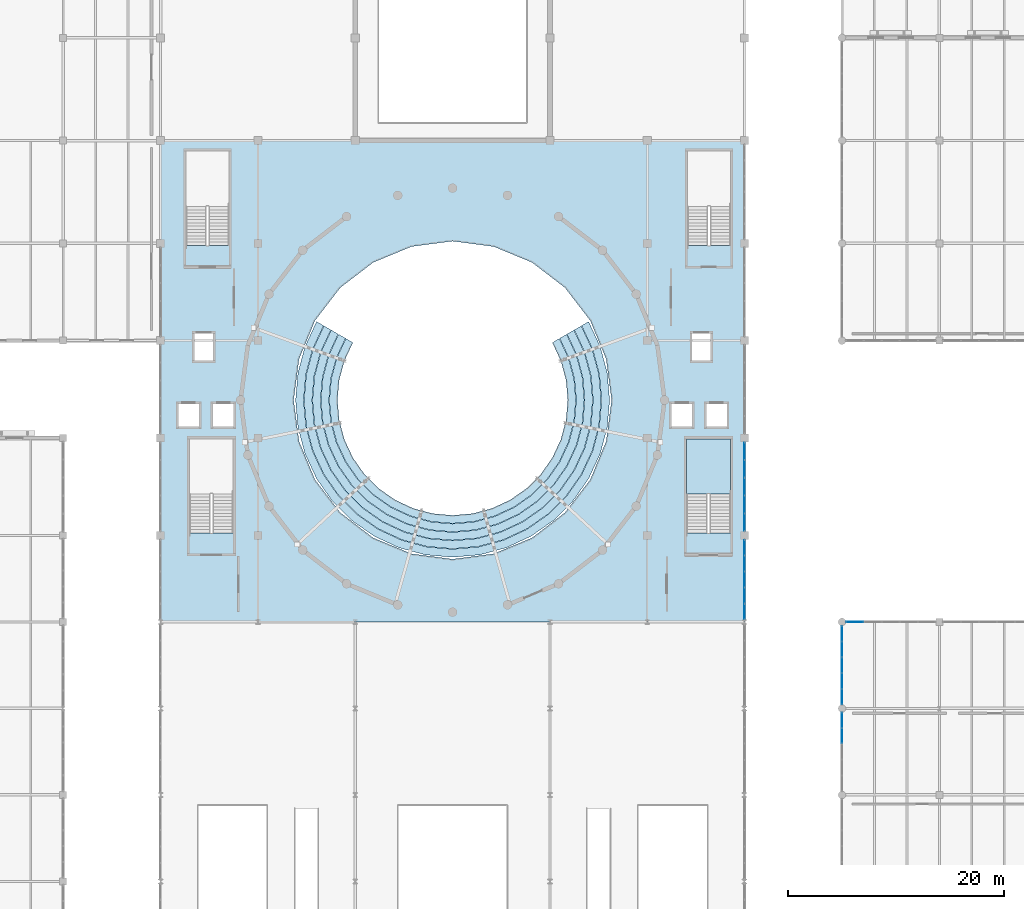
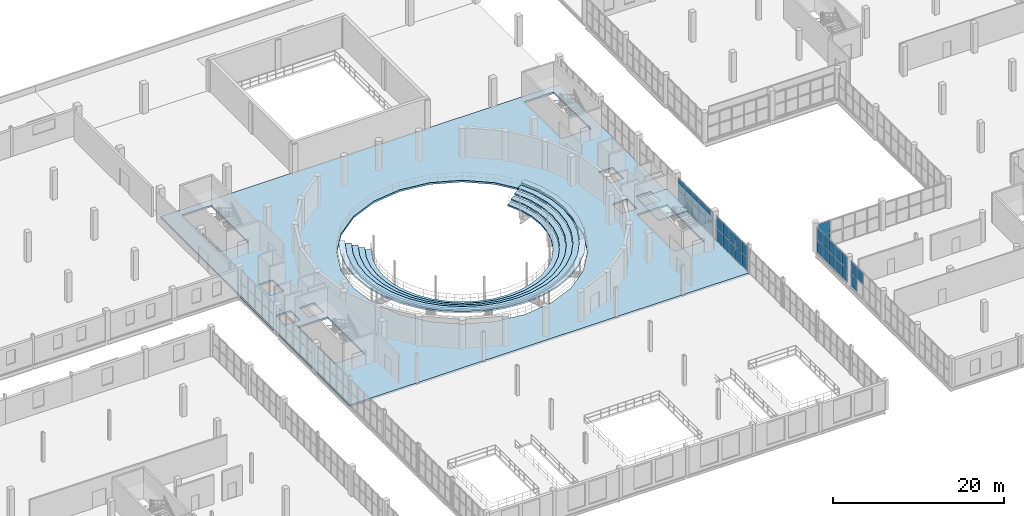
# One storey, part 53 of 85: 35 plates, 7 slabs, 6 elements without a shape of their own.
"""IFC4 building model written with IfcOpenShell, lengths in metres."""

from ifc_helpers import new_model, si_unit, direction, frame, origin, origin_2d, place, context, subcontext, project, spatial, polyline, rectangle, outline, extrude, material, layer, layer_set, type_object, element, aggregate, save


model = new_model("IFC4")

# Units and contexts
model_context = context("Model", 3, precision=1e-05, world=origin(), true_north=direction((0.0, 1.0)))
body_context = subcontext(model_context, "Body", "Model", "MODEL_VIEW")
ifc_project = project(units=[si_unit("LENGTHUNIT", "METRE"), si_unit("AREAUNIT", "SQUARE_METRE"), si_unit("VOLUMEUNIT", "CUBIC_METRE"), si_unit("PLANEANGLEUNIT", "RADIAN"), si_unit("MASSUNIT", "GRAM", prefix="KILO")], contexts=[model_context])

# Site, building, storey
site_placement = place(None, origin())
site = spatial("IfcSite", under=ifc_project, at=site_placement, CompositionType="ELEMENT")
building_placement = place(site_placement, origin())
building = spatial("IfcBuilding", under=site, at=building_placement, Name="Marnock Terrace Opera House", CompositionType="ELEMENT")
storey_placement = place(building_placement, frame((0.0, 0.0, 10.199951171875)))
storey = spatial("IfcBuildingStorey", under=building, at=storey_placement, Name="L02", CompositionType="ELEMENT", Elevation=10.199951171875)

# Curtain wall, plates
ifc_material_1 = material(Name="Anodised architectural bronze aluminium framing", Category="aluminium")
ifc_layer_1 = layer(ifc_material_1, 0.159912109375)
ifc_layer_set_1 = layer_set([ifc_layer_1], Name="Anodised architectural bronze aluminium framing")
curtain_wall_type_1 = type_object("IfcCurtainWallType", Name="CW-FOYER-80x42", PredefinedType="NOTDEFINED", material=ifc_layer_set_1)
curtain_wall_1_placement = place(storey_placement, origin())
curtain_wall_1 = element("IfcCurtainWall", 1, at=curtain_wall_1_placement, inside=storey, type_object=curtain_wall_type_1, Name="L02 glazed Beaux-Arts colonnade curtain wall CW-V1E-L02-05", PredefinedType="NOTDEFINED")
ifc_material_2 = material(Name="Double-glazed acoustic low-E laminated glass", Category="glass")
ifc_layer_2 = layer(ifc_material_2, 0.028076171875)
ifc_layer_set_2 = layer_set([ifc_layer_2], Name="Double-glazed acoustic low-E laminated glass")
plate_type = type_object("IfcPlateType", Name="CWP-GLZ-28", PredefinedType="CURTAIN_PANEL", material=ifc_layer_set_2)
plate_1_placement = place(storey_placement, frame((109.0, 40.954345703125, 0.06005859375), z_axis=(0.0, 0.0, 1.0), x_axis=(0.0, 1.0, 0.0)))
plate_1 = element("IfcPlate", 2, at=plate_1_placement, type_object=plate_type, Name="CW-62 panel 1.1", PredefinedType="CURTAIN_PANEL", context=body_context, shape_type="SweptSolid", body=[
    extrude(rectangle(XDim=1.396484375, YDim=0.028076171875, at=origin_2d()), origin(), (0.0, 0.0, 1.0), 1.7861328125),
])
plate_2_placement = place(storey_placement, frame((109.0, 40.954345703125, 1.90625), z_axis=(0.0, 0.0, 1.0), x_axis=(0.0, 1.0, 0.0)))
plate_2 = element("IfcPlate", 3, at=plate_2_placement, type_object=plate_type, Name="CW-62 panel 1.2", PredefinedType="CURTAIN_PANEL", context=body_context, shape_type="SweptSolid", body=[
    extrude(rectangle(XDim=1.396484375, YDim=0.028076171875, at=origin_2d()), origin(), (0.0, 0.0, 1.0), 1.641845703125),
])
plate_3_placement = place(storey_placement, frame((109.0, 42.42578125, 0.06005859375), z_axis=(0.0, 0.0, 1.0), x_axis=(0.0, 1.0, 0.0)))
plate_3 = element("IfcPlate", 4, at=plate_3_placement, type_object=plate_type, Name="CW-62 panel 2.1", PredefinedType="CURTAIN_PANEL", context=body_context, shape_type="SweptSolid", body=[
    extrude(rectangle(XDim=1.426513671875, YDim=0.028076171875, at=origin_2d()), origin(), (0.0, 0.0, 1.0), 1.7861328125),
])
plate_4_placement = place(storey_placement, frame((109.0, 42.42578125, 1.90625), z_axis=(0.0, 0.0, 1.0), x_axis=(0.0, 1.0, 0.0)))
plate_4 = element("IfcPlate", 5, at=plate_4_placement, type_object=plate_type, Name="CW-62 panel 2.2", PredefinedType="CURTAIN_PANEL", context=body_context, shape_type="SweptSolid", body=[
    extrude(rectangle(XDim=1.426513671875, YDim=0.028076171875, at=origin_2d()), origin(), (0.0, 0.0, 1.0), 1.641845703125),
])
plate_5_placement = place(storey_placement, frame((109.0, 43.91259765625, 0.06005859375), z_axis=(0.0, 0.0, 1.0), x_axis=(0.0, 1.0, 0.0)))
plate_5 = element("IfcPlate", 6, at=plate_5_placement, type_object=plate_type, Name="CW-62 panel 3.1", PredefinedType="CURTAIN_PANEL", context=body_context, shape_type="SweptSolid", body=[
    extrude(rectangle(XDim=1.426513671875, YDim=0.028076171875, at=origin_2d()), origin(), (0.0, 0.0, 1.0), 1.7861328125),
])
plate_6_placement = place(storey_placement, frame((109.0, 43.91259765625, 1.90625), z_axis=(0.0, 0.0, 1.0), x_axis=(0.0, 1.0, 0.0)))
plate_6 = element("IfcPlate", 7, at=plate_6_placement, type_object=plate_type, Name="CW-62 panel 3.2", PredefinedType="CURTAIN_PANEL", context=body_context, shape_type="SweptSolid", body=[
    extrude(rectangle(XDim=1.426513671875, YDim=0.028076171875, at=origin_2d()), origin(), (0.0, 0.0, 1.0), 1.641845703125),
])
plate_7_placement = place(storey_placement, frame((109.0, 45.399169921875, 0.06005859375), z_axis=(0.0, 0.0, 1.0), x_axis=(0.0, 1.0, 0.0)))
plate_7 = element("IfcPlate", 8, at=plate_7_placement, type_object=plate_type, Name="CW-62 panel 4.1", PredefinedType="CURTAIN_PANEL", context=body_context, shape_type="SweptSolid", body=[
    extrude(rectangle(XDim=1.426513671875, YDim=0.028076171875, at=origin_2d()), origin(), (0.0, 0.0, 1.0), 1.7861328125),
])
plate_8_placement = place(storey_placement, frame((109.0, 45.399169921875, 1.90625), z_axis=(0.0, 0.0, 1.0), x_axis=(0.0, 1.0, 0.0)))
plate_8 = element("IfcPlate", 9, at=plate_8_placement, type_object=plate_type, Name="CW-62 panel 4.2", PredefinedType="CURTAIN_PANEL", context=body_context, shape_type="SweptSolid", body=[
    extrude(rectangle(XDim=1.426513671875, YDim=0.028076171875, at=origin_2d()), origin(), (0.0, 0.0, 1.0), 1.641845703125),
])
plate_9_placement = place(storey_placement, frame((109.0, 46.87060546875, 0.06005859375), z_axis=(0.0, 0.0, 1.0), x_axis=(0.0, 1.0, 0.0)))
plate_9 = element("IfcPlate", 10, at=plate_9_placement, type_object=plate_type, Name="CW-62 panel 5.1", PredefinedType="CURTAIN_PANEL", context=body_context, shape_type="SweptSolid", body=[
    extrude(rectangle(XDim=1.396484375, YDim=0.028076171875, at=origin_2d()), origin(), (0.0, 0.0, 1.0), 1.7861328125),
])
plate_10_placement = place(storey_placement, frame((109.0, 46.87060546875, 1.90625), z_axis=(0.0, 0.0, 1.0), x_axis=(0.0, 1.0, 0.0)))
plate_10 = element("IfcPlate", 11, at=plate_10_placement, type_object=plate_type, Name="CW-62 panel 5.2", PredefinedType="CURTAIN_PANEL", context=body_context, shape_type="SweptSolid", body=[
    extrude(rectangle(XDim=1.396484375, YDim=0.028076171875, at=origin_2d()), origin(), (0.0, 0.0, 1.0), 1.641845703125),
])
aggregate(curtain_wall_1, [plate_1, plate_2, plate_3, plate_4, plate_5, plate_6, plate_7, plate_8, plate_9, plate_10])

ifc_layer_3 = layer(ifc_material_1, 0.159912109375)
ifc_layer_set_3 = layer_set([ifc_layer_3], Name="Anodised architectural bronze aluminium framing")
curtain_wall_type_2 = type_object("IfcCurtainWallType", Name="CW-FOYER-90x42", PredefinedType="NOTDEFINED", material=ifc_layer_set_3)
curtain_wall_2_placement = place(storey_placement, origin())
curtain_wall_2 = element("IfcCurtainWall", 12, at=curtain_wall_2_placement, inside=storey, type_object=curtain_wall_type_2, Name="L02 glazed Beaux-Arts colonnade curtain wall CW-V1E-L02-06", PredefinedType="NOTDEFINED")
plate_11_placement = place(storey_placement, frame((109.0, 49.2119140625, 0.06005859375), z_axis=(0.0, 0.0, 1.0), x_axis=(0.0, 1.0, 0.0)))
plate_11 = element("IfcPlate", 13, at=plate_11_placement, type_object=plate_type, Name="CW-68 panel 1.1", PredefinedType="CURTAIN_PANEL", context=body_context, shape_type="SweptSolid", body=[
    extrude(rectangle(XDim=1.5615234375, YDim=0.028076171875, at=origin_2d()), origin(), (0.0, 0.0, 1.0), 1.7861328125),
])
plate_12_placement = place(storey_placement, frame((109.0, 49.2119140625, 1.90625), z_axis=(0.0, 0.0, 1.0), x_axis=(0.0, 1.0, 0.0)))
plate_12 = element("IfcPlate", 14, at=plate_12_placement, type_object=plate_type, Name="CW-68 panel 1.2", PredefinedType="CURTAIN_PANEL", context=body_context, shape_type="SweptSolid", body=[
    extrude(rectangle(XDim=1.5615234375, YDim=0.028076171875, at=origin_2d()), origin(), (0.0, 0.0, 1.0), 1.641845703125),
])
plate_13_placement = place(storey_placement, frame((109.0, 50.848388671875, 0.06005859375), z_axis=(0.0, 0.0, 1.0), x_axis=(0.0, 1.0, 0.0)))
plate_13 = element("IfcPlate", 15, at=plate_13_placement, type_object=plate_type, Name="CW-68 panel 2.1", PredefinedType="CURTAIN_PANEL", context=body_context, shape_type="SweptSolid", body=[
    extrude(rectangle(XDim=1.591552734375, YDim=0.028076171875, at=origin_2d()), origin(), (0.0, 0.0, 1.0), 1.7861328125),
])
plate_14_placement = place(storey_placement, frame((109.0, 50.848388671875, 1.90625), z_axis=(0.0, 0.0, 1.0), x_axis=(0.0, 1.0, 0.0)))
plate_14 = element("IfcPlate", 16, at=plate_14_placement, type_object=plate_type, Name="CW-68 panel 2.2", PredefinedType="CURTAIN_PANEL", context=body_context, shape_type="SweptSolid", body=[
    extrude(rectangle(XDim=1.591552734375, YDim=0.028076171875, at=origin_2d()), origin(), (0.0, 0.0, 1.0), 1.641845703125),
])
plate_15_placement = place(storey_placement, frame((109.0, 52.5, 0.06005859375), z_axis=(0.0, 0.0, 1.0), x_axis=(0.0, 1.0, 0.0)))
plate_15 = element("IfcPlate", 17, at=plate_15_placement, type_object=plate_type, Name="CW-68 panel 3.1", PredefinedType="CURTAIN_PANEL", context=body_context, shape_type="SweptSolid", body=[
    extrude(rectangle(XDim=1.591552734375, YDim=0.028076171875, at=origin_2d()), origin(), (0.0, 0.0, 1.0), 1.7861328125),
])
plate_16_placement = place(storey_placement, frame((109.0, 52.5, 1.90625), z_axis=(0.0, 0.0, 1.0), x_axis=(0.0, 1.0, 0.0)))
plate_16 = element("IfcPlate", 18, at=plate_16_placement, type_object=plate_type, Name="CW-68 panel 3.2", PredefinedType="CURTAIN_PANEL", context=body_context, shape_type="SweptSolid", body=[
    extrude(rectangle(XDim=1.591552734375, YDim=0.028076171875, at=origin_2d()), origin(), (0.0, 0.0, 1.0), 1.641845703125),
])
plate_17_placement = place(storey_placement, frame((109.0, 54.151611328125, 0.06005859375), z_axis=(0.0, 0.0, 1.0), x_axis=(0.0, 1.0, 0.0)))
plate_17 = element("IfcPlate", 19, at=plate_17_placement, type_object=plate_type, Name="CW-68 panel 4.1", PredefinedType="CURTAIN_PANEL", context=body_context, shape_type="SweptSolid", body=[
    extrude(rectangle(XDim=1.591552734375, YDim=0.028076171875, at=origin_2d()), origin(), (0.0, 0.0, 1.0), 1.7861328125),
])
plate_18_placement = place(storey_placement, frame((109.0, 54.151611328125, 1.90625), z_axis=(0.0, 0.0, 1.0), x_axis=(0.0, 1.0, 0.0)))
plate_18 = element("IfcPlate", 20, at=plate_18_placement, type_object=plate_type, Name="CW-68 panel 4.2", PredefinedType="CURTAIN_PANEL", context=body_context, shape_type="SweptSolid", body=[
    extrude(rectangle(XDim=1.591552734375, YDim=0.028076171875, at=origin_2d()), origin(), (0.0, 0.0, 1.0), 1.641845703125),
])
plate_19_placement = place(storey_placement, frame((109.0, 55.7880859375, 0.06005859375), z_axis=(0.0, 0.0, 1.0), x_axis=(0.0, 1.0, 0.0)))
plate_19 = element("IfcPlate", 21, at=plate_19_placement, type_object=plate_type, Name="CW-68 panel 5.1", PredefinedType="CURTAIN_PANEL", context=body_context, shape_type="SweptSolid", body=[
    extrude(rectangle(XDim=1.5615234375, YDim=0.028076171875, at=origin_2d()), origin(), (0.0, 0.0, 1.0), 1.7861328125),
])
plate_20_placement = place(storey_placement, frame((109.0, 55.7880859375, 1.90625), z_axis=(0.0, 0.0, 1.0), x_axis=(0.0, 1.0, 0.0)))
plate_20 = element("IfcPlate", 22, at=plate_20_placement, type_object=plate_type, Name="CW-68 panel 5.2", PredefinedType="CURTAIN_PANEL", context=body_context, shape_type="SweptSolid", body=[
    extrude(rectangle(XDim=1.5615234375, YDim=0.028076171875, at=origin_2d()), origin(), (0.0, 0.0, 1.0), 1.641845703125),
])
aggregate(curtain_wall_2, [plate_11, plate_12, plate_13, plate_14, plate_15, plate_16, plate_17, plate_18, plate_19, plate_20])

ifc_layer_4 = layer(ifc_material_1, 0.159912109375)
ifc_layer_set_4 = layer_set([ifc_layer_4], Name="Anodised architectural bronze aluminium framing")
curtain_wall_type_3 = type_object("IfcCurtainWallType", Name="CW-LOGGIA-86x42", PredefinedType="NOTDEFINED", material=ifc_layer_set_4)
curtain_wall_3_placement = place(storey_placement, origin())
curtain_wall_3 = element("IfcCurtainWall", 23, at=curtain_wall_3_placement, inside=storey, type_object=curtain_wall_type_3, Name="L02 glazed Beaux-Arts colonnade curtain wall CW-V5-L02-W3", PredefinedType="NOTDEFINED")
plate_21_placement = place(storey_placement, frame((118.0, 29.461669921875, 1.94482421875), z_axis=(0.0, 0.0, 1.0), x_axis=(0.0, 1.0, 0.0)))
plate_21 = element("IfcPlate", 24, at=plate_21_placement, type_object=plate_type, Name="CW-66 panel 4.2", PredefinedType="CURTAIN_PANEL", context=body_context, shape_type="SweptSolid", body=[
    extrude(rectangle(XDim=1.401611328125, YDim=0.028076171875, at=origin_2d()), origin(), (0.0, 0.0, 1.0), 1.677490234375),
])
plate_22_placement = place(storey_placement, frame((118.0, 30.908203125, 0.06005859375), z_axis=(0.0, 0.0, 1.0), x_axis=(0.0, 1.0, 0.0)))
plate_22 = element("IfcPlate", 25, at=plate_22_placement, type_object=plate_type, Name="CW-66 panel 5.1", PredefinedType="CURTAIN_PANEL", context=body_context, shape_type="SweptSolid", body=[
    extrude(rectangle(XDim=1.37158203125, YDim=0.028076171875, at=origin_2d()), origin(), (0.0, 0.0, 1.0), 1.82470703125),
])
plate_23_placement = place(storey_placement, frame((118.0, 30.908203125, 1.94482421875), z_axis=(0.0, 0.0, 1.0), x_axis=(0.0, 1.0, 0.0)))
plate_23 = element("IfcPlate", 26, at=plate_23_placement, type_object=plate_type, Name="CW-66 panel 5.2", PredefinedType="CURTAIN_PANEL", context=body_context, shape_type="SweptSolid", body=[
    extrude(rectangle(XDim=1.37158203125, YDim=0.028076171875, at=origin_2d()), origin(), (0.0, 0.0, 1.0), 1.677490234375),
])
aggregate(curtain_wall_3, [plate_21, plate_22, plate_23])

curtain_wall_4_placement = place(storey_placement, origin())
curtain_wall_4 = element("IfcCurtainWall", 27, at=curtain_wall_4_placement, inside=storey, type_object=curtain_wall_type_3, Name="L02 glazed Beaux-Arts colonnade curtain wall CW-V5-L02-W4", PredefinedType="NOTDEFINED")
plate_24_placement = place(storey_placement, frame((118.0, 33.091796875, 0.06005859375), z_axis=(0.0, 0.0, 1.0), x_axis=(0.0, 1.0, 0.0)))
plate_24 = element("IfcPlate", 28, at=plate_24_placement, type_object=plate_type, Name="CW-66 panel 1.1", PredefinedType="CURTAIN_PANEL", context=body_context, shape_type="SweptSolid", body=[
    extrude(rectangle(XDim=1.37158203125, YDim=0.028076171875, at=origin_2d()), origin(), (0.0, 0.0, 1.0), 1.82470703125),
])
plate_25_placement = place(storey_placement, frame((118.0, 33.091796875, 1.94482421875), z_axis=(0.0, 0.0, 1.0), x_axis=(0.0, 1.0, 0.0)))
plate_25 = element("IfcPlate", 29, at=plate_25_placement, type_object=plate_type, Name="CW-66 panel 1.2", PredefinedType="CURTAIN_PANEL", context=body_context, shape_type="SweptSolid", body=[
    extrude(rectangle(XDim=1.37158203125, YDim=0.028076171875, at=origin_2d()), origin(), (0.0, 0.0, 1.0), 1.677490234375),
])
plate_26_placement = place(storey_placement, frame((118.0, 34.538330078125, 0.06005859375), z_axis=(0.0, 0.0, 1.0), x_axis=(0.0, 1.0, 0.0)))
plate_26 = element("IfcPlate", 30, at=plate_26_placement, type_object=plate_type, Name="CW-66 panel 2.1", PredefinedType="CURTAIN_PANEL", context=body_context, shape_type="SweptSolid", body=[
    extrude(rectangle(XDim=1.401611328125, YDim=0.028076171875, at=origin_2d()), origin(), (0.0, 0.0, 1.0), 1.82470703125),
])
plate_27_placement = place(storey_placement, frame((118.0, 34.538330078125, 1.94482421875), z_axis=(0.0, 0.0, 1.0), x_axis=(0.0, 1.0, 0.0)))
plate_27 = element("IfcPlate", 31, at=plate_27_placement, type_object=plate_type, Name="CW-66 panel 2.2", PredefinedType="CURTAIN_PANEL", context=body_context, shape_type="SweptSolid", body=[
    extrude(rectangle(XDim=1.401611328125, YDim=0.028076171875, at=origin_2d()), origin(), (0.0, 0.0, 1.0), 1.677490234375),
])
plate_28_placement = place(storey_placement, frame((118.0, 36.0, 0.06005859375), z_axis=(0.0, 0.0, 1.0), x_axis=(0.0, 1.0, 0.0)))
plate_28 = element("IfcPlate", 32, at=plate_28_placement, type_object=plate_type, Name="CW-66 panel 3.1", PredefinedType="CURTAIN_PANEL", context=body_context, shape_type="SweptSolid", body=[
    extrude(rectangle(XDim=1.401611328125, YDim=0.028076171875, at=origin_2d()), origin(), (0.0, 0.0, 1.0), 1.82470703125),
])
plate_29_placement = place(storey_placement, frame((118.0, 36.0, 1.94482421875), z_axis=(0.0, 0.0, 1.0), x_axis=(0.0, 1.0, 0.0)))
plate_29 = element("IfcPlate", 33, at=plate_29_placement, type_object=plate_type, Name="CW-66 panel 3.2", PredefinedType="CURTAIN_PANEL", context=body_context, shape_type="SweptSolid", body=[
    extrude(rectangle(XDim=1.401611328125, YDim=0.028076171875, at=origin_2d()), origin(), (0.0, 0.0, 1.0), 1.677490234375),
])
plate_30_placement = place(storey_placement, frame((118.0, 37.461669921875, 0.06005859375), z_axis=(0.0, 0.0, 1.0), x_axis=(0.0, 1.0, 0.0)))
plate_30 = element("IfcPlate", 34, at=plate_30_placement, type_object=plate_type, Name="CW-66 panel 4.1", PredefinedType="CURTAIN_PANEL", context=body_context, shape_type="SweptSolid", body=[
    extrude(rectangle(XDim=1.401611328125, YDim=0.028076171875, at=origin_2d()), origin(), (0.0, 0.0, 1.0), 1.82470703125),
])
plate_31_placement = place(storey_placement, frame((118.0, 37.461669921875, 1.94482421875), z_axis=(0.0, 0.0, 1.0), x_axis=(0.0, 1.0, 0.0)))
plate_31 = element("IfcPlate", 35, at=plate_31_placement, type_object=plate_type, Name="CW-66 panel 4.2", PredefinedType="CURTAIN_PANEL", context=body_context, shape_type="SweptSolid", body=[
    extrude(rectangle(XDim=1.401611328125, YDim=0.028076171875, at=origin_2d()), origin(), (0.0, 0.0, 1.0), 1.677490234375),
])
plate_32_placement = place(storey_placement, frame((118.0, 38.908203125, 0.06005859375), z_axis=(0.0, 0.0, 1.0), x_axis=(0.0, 1.0, 0.0)))
plate_32 = element("IfcPlate", 36, at=plate_32_placement, type_object=plate_type, Name="CW-66 panel 5.1", PredefinedType="CURTAIN_PANEL", context=body_context, shape_type="SweptSolid", body=[
    extrude(rectangle(XDim=1.37158203125, YDim=0.028076171875, at=origin_2d()), origin(), (0.0, 0.0, 1.0), 1.82470703125),
])
plate_33_placement = place(storey_placement, frame((118.0, 38.908203125, 1.94482421875), z_axis=(0.0, 0.0, 1.0), x_axis=(0.0, 1.0, 0.0)))
plate_33 = element("IfcPlate", 37, at=plate_33_placement, type_object=plate_type, Name="CW-66 panel 5.2", PredefinedType="CURTAIN_PANEL", context=body_context, shape_type="SweptSolid", body=[
    extrude(rectangle(XDim=1.37158203125, YDim=0.028076171875, at=origin_2d()), origin(), (0.0, 0.0, 1.0), 1.677490234375),
])
aggregate(curtain_wall_4, [plate_24, plate_25, plate_26, plate_27, plate_28, plate_29, plate_30, plate_31, plate_32, plate_33])

curtain_wall_5_placement = place(storey_placement, origin())
curtain_wall_5 = element("IfcCurtainWall", 38, at=curtain_wall_5_placement, inside=storey, type_object=curtain_wall_type_3, Name="L02 glazed Beaux-Arts colonnade curtain wall CW-V5-L02-CS1", PredefinedType="NOTDEFINED")
plate_34_placement = place(storey_placement, frame((119.1943359375, 40.0, 0.06005859375), z_axis=(0.0, 0.0, 1.0), x_axis=(1.0, 0.0, 0.0)))
plate_34 = element("IfcPlate", 39, at=plate_34_placement, type_object=plate_type, Name="CW-66 panel 1.1", PredefinedType="CURTAIN_PANEL", context=body_context, shape_type="SweptSolid", body=[
    extrude(rectangle(XDim=1.57666015625, YDim=0.028076171875, at=origin_2d()), origin(), (0.0, 0.0, 1.0), 1.85986328125),
])
plate_35_placement = place(storey_placement, frame((119.1943359375, 40.0, 1.97998046875), z_axis=(0.0, 0.0, 1.0), x_axis=(1.0, 0.0, 0.0)))
plate_35 = element("IfcPlate", 40, at=plate_35_placement, type_object=plate_type, Name="CW-66 panel 1.2", PredefinedType="CURTAIN_PANEL", context=body_context, shape_type="SweptSolid", body=[
    extrude(rectangle(XDim=1.57666015625, YDim=0.028076171875, at=origin_2d()), origin(), (0.0, 0.0, 1.0), 1.709716796875),
])
aggregate(curtain_wall_5, [plate_34, plate_35])

# Slab
ifc_material_3 = material(Name="Concrete N40 (f'c = 40 MPa)", Category="concrete")
ifc_layer_5 = layer(ifc_material_3, 0.260009765625)
ifc_layer_set_5 = layer_set([ifc_layer_5], Name="Concrete N40 (f'c = 40 MPa)")
slab_type_1 = type_object("IfcSlabType", Name="SL-FLR-260", PredefinedType="FLOOR", material=ifc_layer_set_5)
slab_1_placement = place(storey_placement, frame((0.0, 0.0, -0.260009765625)))
element("IfcSlab", 41, at=slab_1_placement, inside=storey, type_object=slab_type_1, Name="L02 Auditorium promenade structural floor slab", PredefinedType="FLOOR", context=body_context, shape_type="SweptSolid", body=[
    extrude(outline(polyline([(55.0, 40.0), (109.0, 40.0), (109.0, 84.5), (55.0, 84.5), (55.0, 40.0)]), holes=[polyline([(61.719970703125, 48.239990234375), (61.719970703125, 56.919921875), (57.679931640625, 56.919921875), (57.679931640625, 48.239990234375), (61.719970703125, 48.239990234375)]), polyline([(56.580078125, 57.97998046875), (58.6201171875, 57.97998046875), (58.6201171875, 60.219970703125), (56.580078125, 60.219970703125), (56.580078125, 57.97998046875)]), polyline([(59.780029296875, 57.97998046875), (61.820068359375, 57.97998046875), (61.820068359375, 60.219970703125), (59.780029296875, 60.219970703125), (59.780029296875, 57.97998046875)]), polyline([(107.679931640625, 48.239990234375), (107.679931640625, 56.919921875), (103.639892578125, 56.919921875), (103.639892578125, 48.239990234375), (107.679931640625, 48.239990234375)]), polyline([(102.179931640625, 57.97998046875), (104.219970703125, 57.97998046875), (104.219970703125, 60.219970703125), (102.179931640625, 60.219970703125), (102.179931640625, 57.97998046875)]), polyline([(105.3798828125, 57.97998046875), (107.419921875, 57.97998046875), (107.419921875, 60.219970703125), (105.3798828125, 60.219970703125), (105.3798828125, 57.97998046875)]), polyline([(61.320068359375, 74.800048828125), (61.320068359375, 83.52001953125), (57.360107421875, 83.52001953125), (57.360107421875, 74.800048828125), (61.320068359375, 74.800048828125)]), polyline([(58.080078125, 64.080078125), (59.919921875, 64.080078125), (59.919921875, 66.719970703125), (58.080078125, 66.719970703125), (58.080078125, 64.080078125)]), polyline([(107.679931640625, 74.800048828125), (107.679931640625, 83.52001953125), (103.719970703125, 83.52001953125), (103.719970703125, 74.800048828125), (107.679931640625, 74.800048828125)]), polyline([(104.080078125, 64.080078125), (105.919921875, 64.080078125), (105.919921875, 66.719970703125), (104.080078125, 66.719970703125), (104.080078125, 64.080078125)]), polyline([(96.699951171875, 60.5), (96.198974609375, 64.304931640625), (94.73095703125, 67.85009765625), (92.39404296875, 70.89404296875), (89.35009765625, 73.23095703125), (85.804931640625, 74.698974609375), (82.0, 75.199951171875), (78.195068359375, 74.698974609375), (74.64990234375, 73.23095703125), (71.60595703125, 70.89404296875), (69.26904296875, 67.85009765625), (67.801025390625, 64.304931640625), (67.300048828125, 60.5), (67.801025390625, 56.695068359375), (69.26904296875, 53.14990234375), (71.60595703125, 50.10595703125), (74.64990234375, 47.76904296875), (78.195068359375, 46.301025390625), (82.0, 45.800048828125), (85.804931640625, 46.301025390625), (89.35009765625, 47.76904296875), (92.39404296875, 50.10595703125), (94.73095703125, 53.14990234375), (96.198974609375, 56.695068359375), (96.699951171875, 60.5)])]), origin(), (0.0, 0.0, 1.0), 0.260009765625),
])

# Stair, slab
stair_type = type_object("IfcStairType", Name="ST-TYPE-2600", PredefinedType="HALF_TURN_STAIR", material=ifc_material_3)
stair_placement = place(storey_placement, origin())
stair = element("IfcStair", 42, at=stair_placement, inside=storey, type_object=stair_type, Name="L02 ST-02", PredefinedType="HALF_TURN_STAIR")
ifc_material_4 = material(Name="Concrete N32 (f'c = 32 MPa)", Category="concrete")
ifc_layer_6 = layer(ifc_material_4, 0.199951171875)
ifc_layer_set_6 = layer_set([ifc_layer_6], Name="Concrete N32 (f'c = 32 MPa)")
slab_type_2 = type_object("IfcSlabType", Name="SL-LAND-200", PredefinedType="LANDING", material=ifc_layer_set_6)
slab_2_placement = place(storey_placement, frame((0.0, 0.0, 2.050048828125)))
slab_2 = element("IfcSlab", 43, at=slab_2_placement, type_object=slab_type_2, Name="ST-02 landing 1", PredefinedType="LANDING", context=body_context, shape_type="SweptSolid", body=[
    extrude(outline(polyline([(107.679931640625, 51.840087890625), (107.679931640625, 56.919921875), (103.639892578125, 56.919921875), (103.639892578125, 51.840087890625), (107.679931640625, 51.840087890625)])), origin(), (0.0, 0.0, 1.0), 0.199951171875),
])
aggregate(stair, [slab_2])

# Slabs
ifc_layer_7 = layer(ifc_material_3, 0.215087890625)
ifc_layer_set_7 = layer_set([ifc_layer_7], Name="Concrete N40 (f'c = 40 MPa)")
slab_type_3 = type_object("IfcSlabType", Name="SL-TIER-215", PredefinedType="USERDEFINED", material=ifc_layer_set_7)
slab_3_placement = place(storey_placement, frame((0.0, 0.0, 0.135009765625)))
element("IfcSlab", 44, at=slab_3_placement, inside=storey, type_object=slab_type_3, Name="L02 Main Auditorium horseshoe seating tier 1", ObjectType="SEATING TIER", PredefinedType="USERDEFINED", context=body_context, shape_type="SweptSolid", body=[
    extrude(outline(polyline([(72.127197265625, 66.199951171875), (71.28759765625, 64.39892578125), (70.773193359375, 62.4794921875), (70.60009765625, 60.5), (70.773193359375, 58.5205078125), (71.28759765625, 56.60107421875), (72.127197265625, 54.800048828125), (73.26708984375, 53.172119140625), (74.672119140625, 51.76708984375), (76.300048828125, 50.627197265625), (78.10107421875, 49.78759765625), (80.0205078125, 49.273193359375), (82.0, 49.10009765625), (83.9794921875, 49.273193359375), (85.89892578125, 49.78759765625), (87.699951171875, 50.627197265625), (89.327880859375, 51.76708984375), (90.73291015625, 53.172119140625), (91.872802734375, 54.800048828125), (92.71240234375, 56.60107421875), (93.226806640625, 58.5205078125), (93.39990234375, 60.5), (93.226806640625, 62.4794921875), (92.71240234375, 64.39892578125), (91.872802734375, 66.199951171875), (91.22314453125, 65.824951171875), (92.0078125, 64.142578125), (92.48828125, 62.349365234375), (92.64990234375, 60.5), (92.48828125, 58.650634765625), (92.0078125, 56.857421875), (91.22314453125, 55.175048828125), (90.158447265625, 53.654296875), (88.845703125, 52.341552734375), (87.324951171875, 51.27685546875), (85.642578125, 50.4921875), (83.849365234375, 50.01171875), (82.0, 49.85009765625), (80.150634765625, 50.01171875), (78.357421875, 50.4921875), (76.675048828125, 51.27685546875), (75.154296875, 52.341552734375), (73.841552734375, 53.654296875), (72.77685546875, 55.175048828125), (71.9921875, 56.857421875), (71.51171875, 58.650634765625), (71.35009765625, 60.5), (71.51171875, 62.349365234375), (71.9921875, 64.142578125), (72.77685546875, 65.824951171875), (72.127197265625, 66.199951171875)])), origin(), (0.0, 0.0, 1.0), 0.215087890625),
])
slab_4_placement = place(storey_placement, frame((0.0, 0.0, 0.455078125)))
element("IfcSlab", 45, at=slab_4_placement, inside=storey, type_object=slab_type_3, Name="L02 Main Auditorium horseshoe seating tier 2", ObjectType="SEATING TIER", PredefinedType="USERDEFINED", context=body_context, shape_type="SweptSolid", body=[
    extrude(outline(polyline([(71.451904296875, 66.590087890625), (70.554443359375, 64.665771484375), (70.0048828125, 62.614990234375), (69.820068359375, 60.5), (70.0048828125, 58.385009765625), (70.554443359375, 56.334228515625), (71.451904296875, 54.409912109375), (72.669677734375, 52.6708984375), (74.1708984375, 51.169677734375), (75.909912109375, 49.951904296875), (77.834228515625, 49.054443359375), (79.885009765625, 48.5048828125), (82.0, 48.320068359375), (84.114990234375, 48.5048828125), (86.165771484375, 49.054443359375), (88.090087890625, 49.951904296875), (89.8291015625, 51.169677734375), (91.330322265625, 52.6708984375), (92.548095703125, 54.409912109375), (93.445556640625, 56.334228515625), (93.9951171875, 58.385009765625), (94.179931640625, 60.5), (93.9951171875, 62.614990234375), (93.445556640625, 64.665771484375), (92.548095703125, 66.590087890625), (91.898681640625, 66.215087890625), (92.74072265625, 64.4091796875), (93.25634765625, 62.48486328125), (93.429931640625, 60.5), (93.25634765625, 58.51513671875), (92.74072265625, 56.5908203125), (91.898681640625, 54.784912109375), (90.755859375, 53.15283203125), (89.34716796875, 51.744140625), (87.715087890625, 50.601318359375), (85.9091796875, 49.75927734375), (83.98486328125, 49.24365234375), (82.0, 49.070068359375), (80.01513671875, 49.24365234375), (78.0908203125, 49.75927734375), (76.284912109375, 50.601318359375), (74.65283203125, 51.744140625), (73.244140625, 53.15283203125), (72.101318359375, 54.784912109375), (71.25927734375, 56.5908203125), (70.74365234375, 58.51513671875), (70.570068359375, 60.5), (70.74365234375, 62.48486328125), (71.25927734375, 64.4091796875), (72.101318359375, 66.215087890625), (71.451904296875, 66.590087890625)])), origin(), (0.0, 0.0, 1.0), 0.215087890625),
])
slab_5_placement = place(storey_placement, frame((0.0, 0.0, 0.775146484375)))
element("IfcSlab", 46, at=slab_5_placement, inside=storey, type_object=slab_type_3, Name="L02 Main Auditorium horseshoe seating tier 3", ObjectType="SEATING TIER", PredefinedType="USERDEFINED", context=body_context, shape_type="SweptSolid", body=[
    extrude(outline(polyline([(70.7763671875, 66.97998046875), (69.821533203125, 64.9326171875), (69.23681640625, 62.75048828125), (69.0400390625, 60.5), (69.23681640625, 58.24951171875), (69.821533203125, 56.0673828125), (70.7763671875, 54.02001953125), (72.072021484375, 52.16943359375), (73.66943359375, 50.572021484375), (75.52001953125, 49.2763671875), (77.5673828125, 48.321533203125), (79.74951171875, 47.73681640625), (82.0, 47.5400390625), (84.25048828125, 47.73681640625), (86.4326171875, 48.321533203125), (88.47998046875, 49.2763671875), (90.33056640625, 50.572021484375), (91.927978515625, 52.16943359375), (93.2236328125, 54.02001953125), (94.178466796875, 56.0673828125), (94.76318359375, 58.24951171875), (94.9599609375, 60.5), (94.76318359375, 62.75048828125), (94.178466796875, 64.9326171875), (93.2236328125, 66.97998046875), (92.57421875, 66.60498046875), (93.4736328125, 64.676025390625), (94.0244140625, 62.6201171875), (94.2099609375, 60.5), (94.0244140625, 58.3798828125), (93.4736328125, 56.323974609375), (92.57421875, 54.39501953125), (91.353515625, 52.651611328125), (89.848388671875, 51.146484375), (88.10498046875, 49.92578125), (86.176025390625, 49.0263671875), (84.1201171875, 48.4755859375), (82.0, 48.2900390625), (79.8798828125, 48.4755859375), (77.823974609375, 49.0263671875), (75.89501953125, 49.92578125), (74.151611328125, 51.146484375), (72.646484375, 52.651611328125), (71.42578125, 54.39501953125), (70.5263671875, 56.323974609375), (69.9755859375, 58.3798828125), (69.7900390625, 60.5), (69.9755859375, 62.6201171875), (70.5263671875, 64.676025390625), (71.42578125, 66.60498046875), (70.7763671875, 66.97998046875)])), origin(), (0.0, 0.0, 1.0), 0.21484375),
])
slab_6_placement = place(storey_placement, frame((0.0, 0.0, 1.094970703125)))
element("IfcSlab", 47, at=slab_6_placement, inside=storey, type_object=slab_type_3, Name="L02 Main Auditorium horseshoe seating tier 4", ObjectType="SEATING TIER", PredefinedType="USERDEFINED", context=body_context, shape_type="SweptSolid", body=[
    extrude(outline(polyline([(70.100830078125, 67.3701171875), (69.088623046875, 65.199462890625), (68.46875, 62.885986328125), (68.260009765625, 60.5), (68.46875, 58.114013671875), (69.088623046875, 55.800537109375), (70.100830078125, 53.6298828125), (71.474609375, 51.668212890625), (73.168212890625, 49.974609375), (75.1298828125, 48.600830078125), (77.300537109375, 47.588623046875), (79.614013671875, 46.96875), (82.0, 46.760009765625), (84.385986328125, 46.96875), (86.699462890625, 47.588623046875), (88.8701171875, 48.600830078125), (90.831787109375, 49.974609375), (92.525390625, 51.668212890625), (93.899169921875, 53.6298828125), (94.911376953125, 55.800537109375), (95.53125, 58.114013671875), (95.739990234375, 60.5), (95.53125, 62.885986328125), (94.911376953125, 65.199462890625), (93.899169921875, 67.3701171875), (93.249755859375, 66.9951171875), (94.20654296875, 64.94287109375), (94.792724609375, 62.755615234375), (94.989990234375, 60.5), (94.792724609375, 58.244384765625), (94.20654296875, 56.05712890625), (93.249755859375, 54.0048828125), (91.950927734375, 52.150146484375), (90.349853515625, 50.549072265625), (88.4951171875, 49.250244140625), (86.44287109375, 48.29345703125), (84.255615234375, 47.707275390625), (82.0, 47.510009765625), (79.744384765625, 47.707275390625), (77.55712890625, 48.29345703125), (75.5048828125, 49.250244140625), (73.650146484375, 50.549072265625), (72.049072265625, 52.150146484375), (70.750244140625, 54.0048828125), (69.79345703125, 56.05712890625), (69.207275390625, 58.244384765625), (69.010009765625, 60.5), (69.207275390625, 62.755615234375), (69.79345703125, 64.94287109375), (70.750244140625, 66.9951171875), (70.100830078125, 67.3701171875)])), origin(), (0.0, 0.0, 1.0), 0.215087890625),
])
slab_7_placement = place(storey_placement, frame((0.0, 0.0, 1.4150390625)))
element("IfcSlab", 48, at=slab_7_placement, inside=storey, type_object=slab_type_3, Name="L02 Main Auditorium horseshoe seating tier 5", ObjectType="SEATING TIER", PredefinedType="USERDEFINED", context=body_context, shape_type="SweptSolid", body=[
    extrude(outline(polyline([(69.42529296875, 67.760009765625), (68.355712890625, 65.466064453125), (67.70068359375, 63.021484375), (67.47998046875, 60.5), (67.70068359375, 57.978515625), (68.355712890625, 55.533935546875), (69.42529296875, 53.239990234375), (70.876953125, 51.166748046875), (72.666748046875, 49.376953125), (74.739990234375, 47.92529296875), (77.033935546875, 46.855712890625), (79.478515625, 46.20068359375), (82.0, 45.97998046875), (84.521484375, 46.20068359375), (86.966064453125, 46.855712890625), (89.260009765625, 47.92529296875), (91.333251953125, 49.376953125), (93.123046875, 51.166748046875), (94.57470703125, 53.239990234375), (95.644287109375, 55.533935546875), (96.29931640625, 57.978515625), (96.52001953125, 60.5), (96.29931640625, 63.021484375), (95.644287109375, 65.466064453125), (94.57470703125, 67.760009765625), (93.92529296875, 67.385009765625), (94.939697265625, 65.209716796875), (95.560791015625, 62.89111328125), (95.77001953125, 60.5), (95.560791015625, 58.10888671875), (94.939697265625, 55.790283203125), (93.92529296875, 53.614990234375), (92.54833984375, 51.648681640625), (90.851318359375, 49.95166015625), (88.885009765625, 48.57470703125), (86.709716796875, 47.560302734375), (84.39111328125, 46.939208984375), (82.0, 46.72998046875), (79.60888671875, 46.939208984375), (77.290283203125, 47.560302734375), (75.114990234375, 48.57470703125), (73.148681640625, 49.95166015625), (71.45166015625, 51.648681640625), (70.07470703125, 53.614990234375), (69.060302734375, 55.790283203125), (68.439208984375, 58.10888671875), (68.22998046875, 60.5), (68.439208984375, 62.89111328125), (69.060302734375, 65.209716796875), (70.07470703125, 67.385009765625), (69.42529296875, 67.760009765625)])), origin(), (0.0, 0.0, 1.0), 0.215087890625),
])

save(model, "model.ifc")
